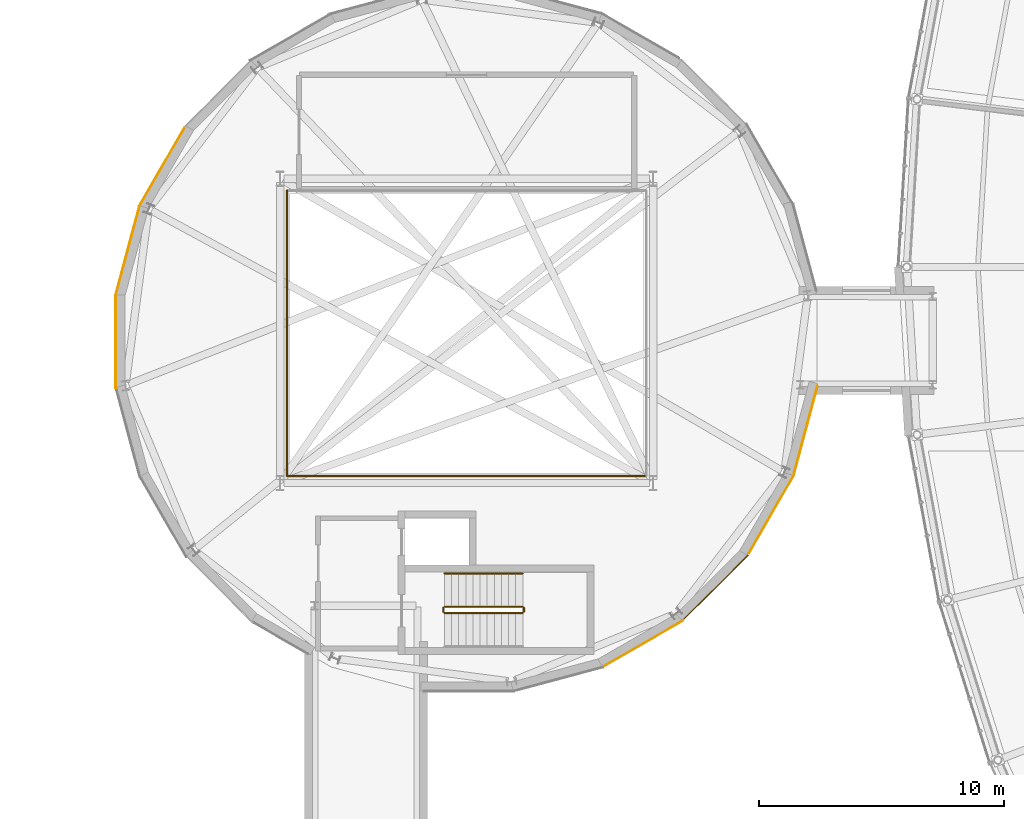
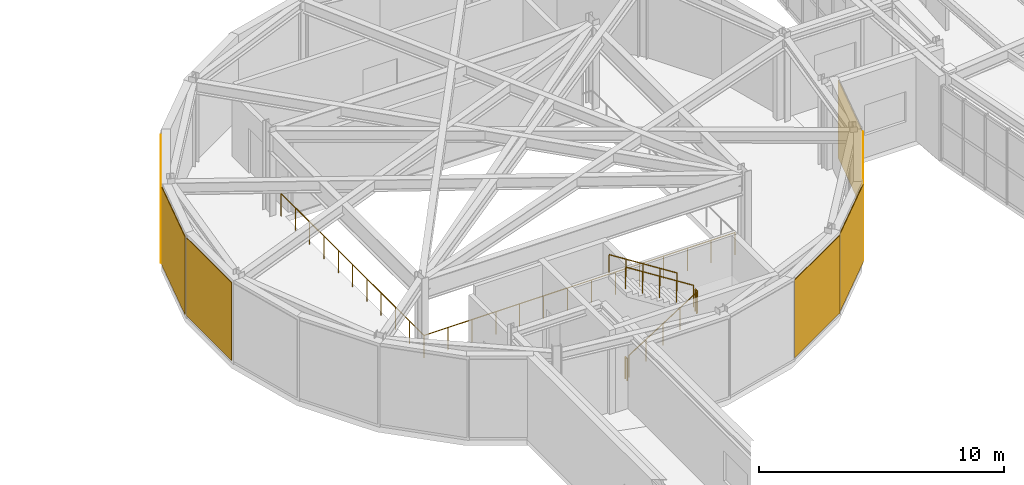
# One storey, part 90 of 103: 7 coverings, 7 railings.
"""IFC4 building model written with IfcOpenShell, lengths in metres."""

from ifc_helpers import new_model, si_unit, direction, frame, origin, origin_2d, place, context, subcontext, project, spatial, rectangle, circle, extrude, material, layer, layer_set, type_object, element, save


model = new_model("IFC4")

# Units and contexts
model_context = context("Model", 3, precision=1e-05, world=origin(), true_north=direction((0.0, 1.0)))
body_context = subcontext(model_context, "Body", "Model", "MODEL_VIEW")
ifc_project = project(units=[si_unit("LENGTHUNIT", "METRE"), si_unit("AREAUNIT", "SQUARE_METRE"), si_unit("VOLUMEUNIT", "CUBIC_METRE"), si_unit("PLANEANGLEUNIT", "RADIAN"), si_unit("MASSUNIT", "GRAM", prefix="KILO")], contexts=[model_context])

# Site, building, storey
site_placement = place(None, origin())
site = spatial("IfcSite", under=ifc_project, at=site_placement, CompositionType="ELEMENT")
building_placement = place(site_placement, origin())
building = spatial("IfcBuilding", under=site, at=building_placement, Name="Varnklinge Art Gallery", CompositionType="ELEMENT")
storey_placement = place(building_placement, frame((0.0, 0.0, 5.10009765625)))
storey = spatial("IfcBuildingStorey", under=building, at=storey_placement, Name="L01", CompositionType="ELEMENT", Elevation=5.10009765625)

# Railings
ifc_material_1 = material(Name="Anodised Aluminium", Category="aluminium")
railing_type_1 = type_object("IfcRailingType", Name="BAL-01", PredefinedType="BALUSTRADE", material=ifc_material_1)
railing_1_placement = place(storey_placement, frame((14.47998046875, 58.1201171875, 0.0)))
element("IfcRailing", 1, at=railing_1_placement, inside=storey, type_object=railing_type_1, Name="L01 Atrium Void Balustrade 4.3", PredefinedType="BALUSTRADE", context=body_context, shape_type="SweptSolid", body=[
    extrude(circle(Radius=0.02392578125, at=origin_2d()), frame((0.0, 0.0, 1.11572265625), z_axis=(0.0, -1.0, 0.0), x_axis=(1.0, 0.0, 0.0)), (0.0, 0.0, 1.0), 11.64013671875),
    extrude(circle(Radius=0.02099609375, at=origin_2d()), origin(), (0.0, 0.0, 1.0), 1.091796875),
    extrude(circle(Radius=0.02099609375, at=origin_2d()), frame((0.0, -1.1640625, 0.0)), (0.0, 0.0, 1.0), 1.091796875),
    extrude(circle(Radius=0.02099609375, at=origin_2d()), frame((0.0, -2.328125, 0.0)), (0.0, 0.0, 1.0), 1.091796875),
    extrude(circle(Radius=0.02099609375, at=origin_2d()), frame((0.0, -3.491943359375, 0.0)), (0.0, 0.0, 1.0), 1.091796875),
    extrude(circle(Radius=0.02099609375, at=origin_2d()), frame((0.0, -4.656005859375, 0.0)), (0.0, 0.0, 1.0), 1.091796875),
    extrude(circle(Radius=0.02099609375, at=origin_2d()), frame((0.0, -5.820068359375, 0.0)), (0.0, 0.0, 1.0), 1.091796875),
    extrude(circle(Radius=0.02099609375, at=origin_2d()), frame((0.0, -6.984130859375, 0.0)), (0.0, 0.0, 1.0), 1.091796875),
    extrude(circle(Radius=0.02099609375, at=origin_2d()), frame((0.0, -8.148193359375, 0.0)), (0.0, 0.0, 1.0), 1.091796875),
    extrude(circle(Radius=0.02099609375, at=origin_2d()), frame((0.0, -9.31201171875, 0.0)), (0.0, 0.0, 1.0), 1.091796875),
    extrude(circle(Radius=0.02099609375, at=origin_2d()), frame((0.0, -10.47607421875, 0.0)), (0.0, 0.0, 1.0), 1.091796875),
    extrude(circle(Radius=0.02099609375, at=origin_2d()), frame((0.0, -11.64013671875, 0.0)), (0.0, 0.0, 1.0), 1.091796875),
])
railing_2_placement = place(storey_placement, frame((14.47998046875, 46.47998046875, 0.0)))
element("IfcRailing", 2, at=railing_2_placement, inside=storey, type_object=railing_type_1, Name="L01 Atrium Void Balustrade 4.4", PredefinedType="BALUSTRADE", context=body_context, shape_type="SweptSolid", body=[
    extrude(circle(Radius=0.02392578125, at=origin_2d()), frame((0.0, 0.0, 1.11572265625), z_axis=(1.0, 0.0, 0.0), x_axis=(0.0, 1.0, 0.0)), (0.0, 0.0, 1.0), 14.64013671875),
    extrude(circle(Radius=0.02099609375, at=origin_2d()), origin(), (0.0, 0.0, 1.0), 1.091796875),
    extrude(circle(Radius=0.02099609375, at=origin_2d()), frame((1.126220703125, 0.0, 0.0)), (0.0, 0.0, 1.0), 1.091796875),
    extrude(circle(Radius=0.02099609375, at=origin_2d()), frame((2.25244140625, 0.0, 0.0)), (0.0, 0.0, 1.0), 1.091796875),
    extrude(circle(Radius=0.02099609375, at=origin_2d()), frame((3.37841796875, 0.0, 0.0)), (0.0, 0.0, 1.0), 1.091796875),
    extrude(circle(Radius=0.02099609375, at=origin_2d()), frame((4.504638671875, 0.0, 0.0)), (0.0, 0.0, 1.0), 1.091796875),
    extrude(circle(Radius=0.02099609375, at=origin_2d()), frame((5.630859375, 0.0, 0.0)), (0.0, 0.0, 1.0), 1.091796875),
    extrude(circle(Radius=0.02099609375, at=origin_2d()), frame((6.757080078125, 0.0, 0.0)), (0.0, 0.0, 1.0), 1.091796875),
    extrude(circle(Radius=0.02099609375, at=origin_2d()), frame((7.883056640625, 0.0, 0.0)), (0.0, 0.0, 1.0), 1.091796875),
    extrude(circle(Radius=0.02099609375, at=origin_2d()), frame((9.00927734375, 0.0, 0.0)), (0.0, 0.0, 1.0), 1.091796875),
    extrude(circle(Radius=0.02099609375, at=origin_2d()), frame((10.135498046875, 0.0, 0.0)), (0.0, 0.0, 1.0), 1.091796875),
    extrude(circle(Radius=0.02099609375, at=origin_2d()), frame((11.26171875, 0.0, 0.0)), (0.0, 0.0, 1.0), 1.091796875),
    extrude(circle(Radius=0.02099609375, at=origin_2d()), frame((12.3876953125, 0.0, 0.0)), (0.0, 0.0, 1.0), 1.091796875),
    extrude(circle(Radius=0.02099609375, at=origin_2d()), frame((13.513916015625, 0.0, 0.0)), (0.0, 0.0, 1.0), 1.091796875),
    extrude(circle(Radius=0.02099609375, at=origin_2d()), frame((14.64013671875, 0.0, 0.0)), (0.0, 0.0, 1.0), 1.091796875),
])

# Coverings
ifc_material_2 = material(Name="Oxide Terracotta Panel", Category="masonry")
ifc_layer = layer(ifc_material_2, 0.034912109375)
ifc_layer_set = layer_set([ifc_layer], Name="Oxide Terracotta Panel")
covering_type = type_object("IfcCoveringType", Name="CLD-TER", PredefinedType="CLADDING", material=ifc_layer_set)
covering_1_placement = place(storey_placement, frame((35.627197265625, 48.375244140625, 0.14990234375), z_axis=(0.0, 0.0, 1.0), x_axis=(-0.258819045103, -0.965925826289, 0.0)))
element("IfcCovering", 3, at=covering_1_placement, inside=storey, type_object=covering_type, Name="L01 Oxide Terracotta Drum Cladding EW-V3-L01-01", PredefinedType="CLADDING", context=body_context, shape_type="SweptSolid", body=[
    extrude(rectangle(XDim=3.666748046875, YDim=0.034912109375, at=origin_2d()), origin(), (0.0, 0.0, 1.0), 3.8701171875),
])
covering_2_placement = place(storey_placement, frame((34.224365234375, 44.930908203125, 0.14990234375), z_axis=(0.0, 0.0, 1.0), x_axis=(-0.5, -0.866025403784, 0.0)))
element("IfcCovering", 4, at=covering_2_placement, inside=storey, type_object=covering_type, Name="L01 Oxide Terracotta Drum Cladding EW-V3-L01-02", PredefinedType="CLADDING", context=body_context, shape_type="SweptSolid", body=[
    extrude(rectangle(XDim=3.69189453125, YDim=0.034912109375, at=origin_2d()), origin(), (0.0, 0.0, 1.0), 3.8701171875),
])
covering_3_placement = place(storey_placement, frame((31.97119140625, 41.9560546875, 0.14990234375), z_axis=(0.0, 0.0, 1.0), x_axis=(-0.707106781187, -0.707106781187, 0.0)))
element("IfcCovering", 5, at=covering_3_placement, inside=storey, type_object=covering_type, Name="L01 Oxide Terracotta Drum Cladding EW-V3-L01-03", PredefinedType="CLADDING", context=body_context, shape_type="SweptSolid", body=[
    extrude(rectangle(XDim=3.691650390625, YDim=0.034912109375, at=origin_2d()), origin(), (0.0, 0.0, 1.0), 3.8701171875),
])
for number, where, z_axis, x_axis, name in (
    (6, (29.025146484375, 39.665771484375, 0.14990234375), (0.0, 0.0, 1.0), (-0.866025403784, -0.5, 0.0), "L01 Oxide Terracotta Drum Cladding EW-V3-L01-04"),
    (7, (7.505615234375, 51.909912109375, 0.14990234375), (0.0, 0.0, 1.0), (0.0, 1.0, 0.0), "L01 Oxide Terracotta Drum Cladding EW-V3-L01-11"),
):
    element("IfcCovering", number, at=place(storey_placement, frame(where, z_axis=z_axis, x_axis=x_axis)), inside=storey, type_object=covering_type, Name=name, PredefinedType="CLADDING", context=body_context, shape_type="SweptSolid", body=[
        extrude(rectangle(XDim=3.69189453125, YDim=0.034912109375, at=origin_2d()), origin(), (0.0, 0.0, 1.0), 3.8701171875),
    ])
covering_4_placement = place(storey_placement, frame((7.969482421875, 55.61279296875, 0.14990234375), z_axis=(0.0, 0.0, 1.0), x_axis=(0.258819045103, 0.965925826289, 0.0)))
element("IfcCovering", 8, at=covering_4_placement, inside=storey, type_object=covering_type, Name="L01 Oxide Terracotta Drum Cladding EW-V3-L01-12", PredefinedType="CLADDING", context=body_context, shape_type="SweptSolid", body=[
    extrude(rectangle(XDim=3.691650390625, YDim=0.034912109375, at=origin_2d()), origin(), (0.0, 0.0, 1.0), 3.8701171875),
])
covering_5_placement = place(storey_placement, frame((9.375732421875, 59.069091796875, 0.14990234375), z_axis=(0.0, 0.0, 1.0), x_axis=(0.5, 0.866025403784, 0.0)))
element("IfcCovering", 9, at=covering_5_placement, inside=storey, type_object=covering_type, Name="L01 Oxide Terracotta Drum Cladding EW-V3-L01-13", PredefinedType="CLADDING", context=body_context, shape_type="SweptSolid", body=[
    extrude(rectangle(XDim=3.69189453125, YDim=0.034912109375, at=origin_2d()), origin(), (0.0, 0.0, 1.0), 3.8701171875),
])

# Railings
ifc_material_3 = material(Name="Steel S355", Category="steel")
railing_type_2 = type_object("IfcRailingType", Name="GR-INT", PredefinedType="GUARDRAIL", material=ifc_material_3)
railing_3_placement = place(storey_placement, frame((20.89990234375, 40.89990234375, 0.18408203125)))
element("IfcRailing", 10, at=railing_3_placement, inside=storey, type_object=railing_type_2, Name="L01 ST-06 stair guard 1", PredefinedType="GUARDRAIL", context=body_context, shape_type="SweptSolid", body=[
    extrude(circle(Radius=0.02392578125, at=origin_2d()), frame((0.0, 0.0, 1.076171875), z_axis=(0.844169194605, 0.0, 0.536076833001), x_axis=(0.0, 1.0, 0.0)), (0.0, 0.0, 1.0), 3.779052734375),
    extrude(circle(Radius=0.02099609375, at=origin_2d()), origin(), (0.0, 0.0, 1.0), 1.052001953125),
    extrude(circle(Radius=0.02099609375, at=origin_2d()), frame((0.797607421875, 0.0, 0.50634765625)), (0.0, 0.0, 1.0), 1.052001953125),
    extrude(circle(Radius=0.02099609375, at=origin_2d()), frame((1.59521484375, 0.0, 1.012939453125)), (0.0, 0.0, 1.0), 1.052001953125),
    extrude(circle(Radius=0.02099609375, at=origin_2d()), frame((2.392578125, 0.0, 1.51953125)), (0.0, 0.0, 1.0), 1.052001953125),
    extrude(circle(Radius=0.02099609375, at=origin_2d()), frame((3.190185546875, 0.0, 2.02587890625)), (0.0, 0.0, 1.0), 1.052001953125),
])
railing_4_placement = place(storey_placement, frame((24.139892578125, 40.949951171875, 2.2099609375)))
element("IfcRailing", 11, at=railing_4_placement, inside=storey, type_object=railing_type_2, Name="L01 ST-06 stair guard 2", PredefinedType="GUARDRAIL", context=body_context, shape_type="SweptSolid", body=[
    extrude(circle(Radius=0.02392578125, at=origin_2d()), frame((0.0, 0.0, 1.076171875), z_axis=(0.0, 1.0, 0.0), x_axis=(-1.0, 0.0, 0.0)), (0.0, 0.0, 1.0), 0.16015625),
    extrude(circle(Radius=0.02099609375, at=origin_2d()), origin(), (0.0, 0.0, 1.0), 1.052001953125),
    extrude(circle(Radius=0.02099609375, at=origin_2d()), frame((0.0, 0.16015625, 0.0)), (0.0, 0.0, 1.0), 1.052001953125),
])
railing_5_placement = place(storey_placement, frame((24.090087890625, 41.159912109375, 2.39404296875)))
element("IfcRailing", 12, at=railing_5_placement, inside=storey, type_object=railing_type_2, Name="L01 ST-06 stair guard 3", PredefinedType="GUARDRAIL", context=body_context, shape_type="SweptSolid", body=[
    extrude(circle(Radius=0.02392578125, at=origin_2d()), frame((0.0, 0.0, 1.076171875), z_axis=(-0.844169194605, 0.0, 0.536076833001), x_axis=(0.0, -1.0, 0.0)), (0.0, 0.0, 1.0), 3.779052734375),
    extrude(circle(Radius=0.02099609375, at=origin_2d()), origin(), (0.0, 0.0, 1.0), 1.052001953125),
    extrude(circle(Radius=0.02099609375, at=origin_2d()), frame((-0.797607421875, 0.0, 0.50634765625)), (0.0, 0.0, 1.0), 1.052001953125),
    extrude(circle(Radius=0.02099609375, at=origin_2d()), frame((-1.59521484375, 0.0, 1.012939453125)), (0.0, 0.0, 1.0), 1.052001953125),
    extrude(circle(Radius=0.02099609375, at=origin_2d()), frame((-2.392578125, 0.0, 1.51953125)), (0.0, 0.0, 1.0), 1.052001953125),
    extrude(circle(Radius=0.02099609375, at=origin_2d()), frame((-3.190185546875, 0.0, 2.02587890625)), (0.0, 0.0, 1.0), 1.052001953125),
])
railing_6_placement = place(storey_placement, frame((20.85009765625, 40.949951171875, 0.0)))
element("IfcRailing", 13, at=railing_6_placement, inside=storey, type_object=railing_type_2, Name="L01 ST-06 stair guard 4", PredefinedType="GUARDRAIL", context=body_context, shape_type="SweptSolid", body=[
    extrude(circle(Radius=0.02392578125, at=origin_2d()), frame((0.0, 0.0, 1.076171875), z_axis=(0.0, 1.0, 0.0), x_axis=(-1.0, 0.0, 0.0)), (0.0, 0.0, 1.0), 0.16015625),
    extrude(circle(Radius=0.02099609375, at=origin_2d()), origin(), (0.0, 0.0, 1.0), 1.052001953125),
    extrude(circle(Radius=0.02099609375, at=origin_2d()), frame((0.0, 0.16015625, 0.0)), (0.0, 0.0, 1.0), 1.052001953125),
])
ifc_material_4 = material(Name="Steel S355", Category="steel")
railing_type_3 = type_object("IfcRailingType", Name="HR-01", PredefinedType="HANDRAIL", material=ifc_material_4)
railing_7_placement = place(storey_placement, frame((24.090087890625, 42.510009765625, 2.39404296875)))
element("IfcRailing", 14, at=railing_7_placement, inside=storey, type_object=railing_type_3, Name="L01 ST-06 stair handrail 2", PredefinedType="HANDRAIL", context=body_context, shape_type="SweptSolid", body=[
    extrude(circle(Radius=0.02392578125, at=origin_2d()), frame((0.0, 0.0, 0.8759765625), z_axis=(-0.844169194605, 0.0, 0.536076833001), x_axis=(0.0, -1.0, 0.0)), (0.0, 0.0, 1.0), 3.779052734375),
    extrude(circle(Radius=0.02099609375, at=origin_2d()), origin(), (0.0, 0.0, 1.0), 0.851806640625),
    extrude(circle(Radius=0.02099609375, at=origin_2d()), frame((-0.797607421875, 0.0, 0.50634765625)), (0.0, 0.0, 1.0), 0.851806640625),
    extrude(circle(Radius=0.02099609375, at=origin_2d()), frame((-1.59521484375, 0.0, 1.012939453125)), (0.0, 0.0, 1.0), 0.851806640625),
    extrude(circle(Radius=0.02099609375, at=origin_2d()), frame((-2.392578125, 0.0, 1.51953125)), (0.0, 0.0, 1.0), 0.851806640625),
    extrude(circle(Radius=0.02099609375, at=origin_2d()), frame((-3.190185546875, 0.0, 2.02587890625)), (0.0, 0.0, 1.0), 0.851806640625),
])

save(model, "model.ifc")
